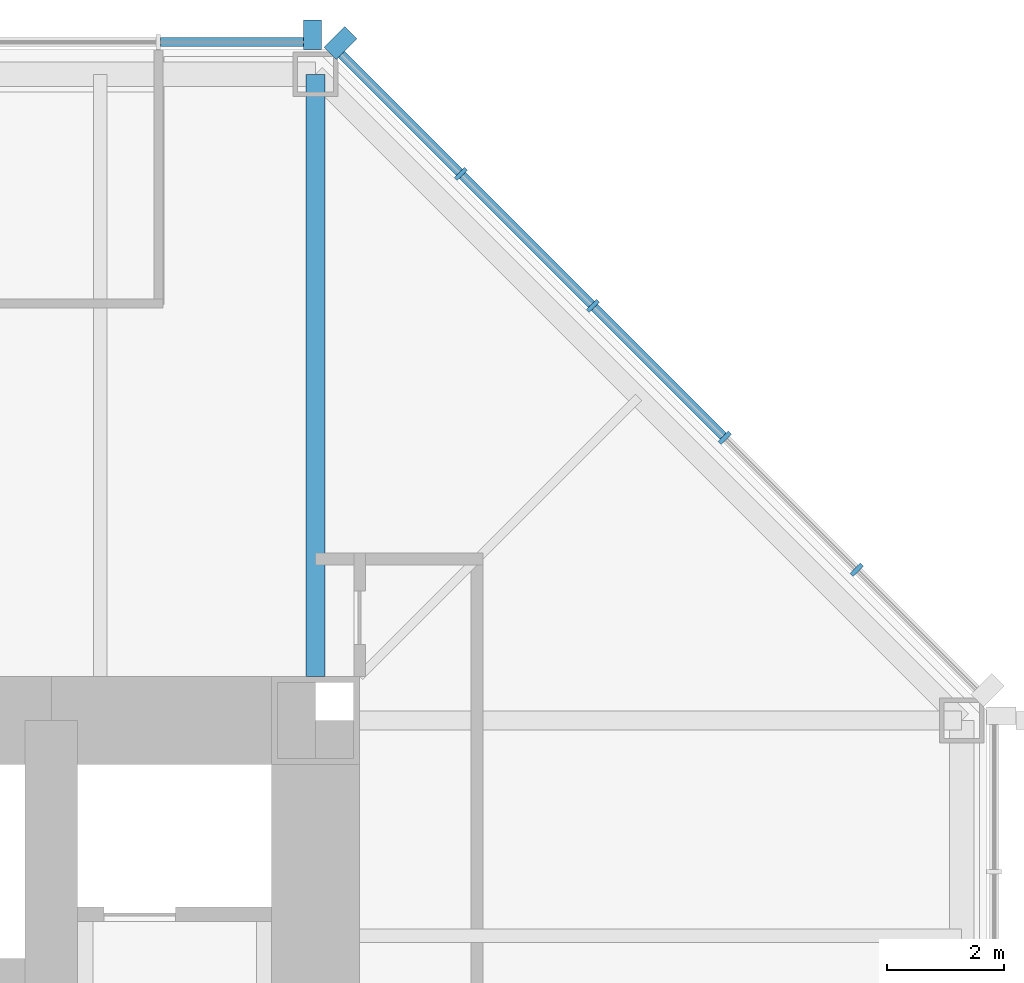
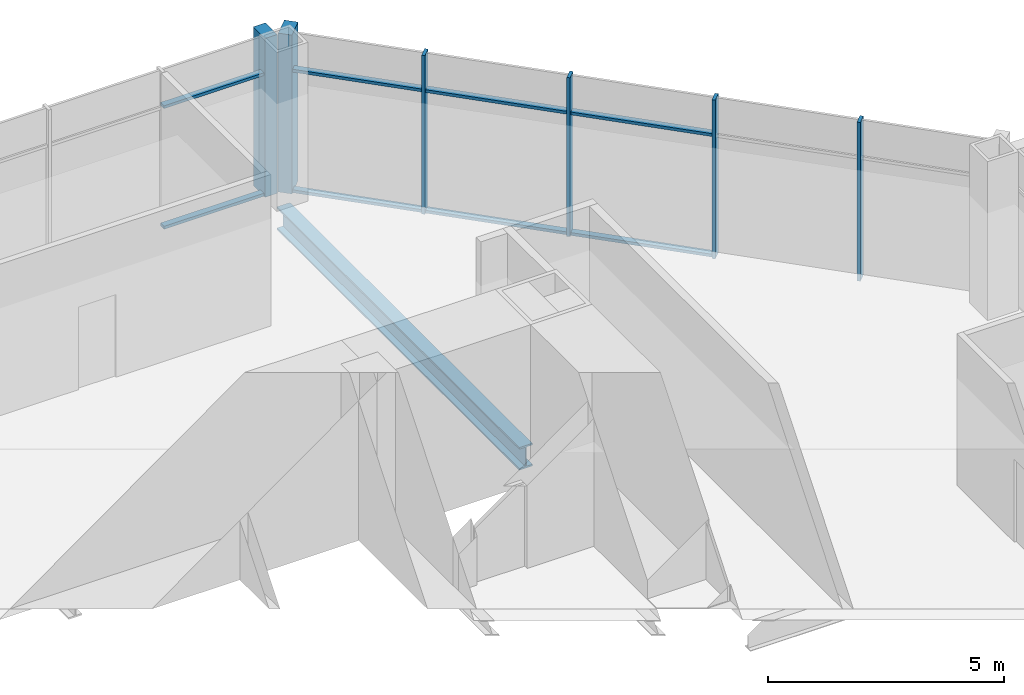
# One storey, part 6 of 12: 14 members, 1 beam, 2 elements without a shape of their own.
"""IFC4 building model written with IfcOpenShell, lengths in metres."""

from ifc_helpers import new_model, si_unit, direction, frame, origin, origin_2d, place, context, subcontext, project, spatial, rectangle, i_section, extrude, material, material_profile, profile_set, type_object, element, aggregate, save


model = new_model("IFC4")

# Units and contexts
model_context = context("Model", 3, precision=1e-05, world=origin(), true_north=direction((0.0, 1.0)))
body_context = subcontext(model_context, "Body", "Model", "MODEL_VIEW")
ifc_project = project(units=[si_unit("LENGTHUNIT", "METRE"), si_unit("AREAUNIT", "SQUARE_METRE"), si_unit("VOLUMEUNIT", "CUBIC_METRE"), si_unit("PLANEANGLEUNIT", "RADIAN"), si_unit("MASSUNIT", "GRAM", prefix="KILO")], contexts=[model_context])

# Site, building, storey
site_placement = place(None, origin())
site = spatial("IfcSite", under=ifc_project, at=site_placement, CompositionType="ELEMENT")
building_placement = place(site_placement, origin())
building = spatial("IfcBuilding", under=site, at=building_placement, Name="Trevanion Tower", CompositionType="ELEMENT")
storey_placement = place(building_placement, frame((0.0, 0.0, 145.89990234375)))
storey = spatial("IfcBuildingStorey", under=building, at=storey_placement, Name="L34", CompositionType="ELEMENT", Elevation=145.89990234375)

# Curtain wall, members
ifc_material_1 = material(Name="Aluminium and glass", Category="aluminium")
curtain_wall_type = type_object("IfcCurtainWallType", Name="CW2 curtain wall", PredefinedType="USERDEFINED", material=ifc_material_1)
curtain_wall_1_placement = place(storey_placement, origin())
curtain_wall_1 = element("IfcCurtainWall", 1, at=curtain_wall_1_placement, inside=storey, type_object=curtain_wall_type, Name="CW2 L34 1", ObjectType="UNITISED CURTAIN WALL", PredefinedType="USERDEFINED")
ifc_material_2 = material(Name="Aluminium extrusion, anodised bronze", Category="aluminium")
ifc_material_profile_1 = material_profile(ifc_material_2, rectangle(XDim=0.074951171875, YDim=0.25, at=origin_2d()), Name="CW2 mullion")
ifc_profile_set_1 = profile_set([ifc_material_profile_1], Name="Aluminium extrusion, anodised bronze")
member_type_1 = type_object("IfcMemberType", Name="CW2 mullion", PredefinedType="MULLION", material=ifc_profile_set_1)
member_1_placement = place(storey_placement, frame((20.2119140625, 13.56591796875, -0.18994140625), z_axis=(0.0, 0.0, 1.0), x_axis=(-0.707106781187, 0.707106781187, 0.0)))
member_1 = element("IfcMember", 2, at=member_1_placement, type_object=member_type_1, Name="CW2 mullion 2", PredefinedType="MULLION", context=body_context, shape_type="SweptSolid", body=[
    extrude(rectangle(XDim=0.074951171875, YDim=0.25, at=origin_2d()), origin(), (0.0, 0.0, 1.0), 4.10009765625),
])
member_2_placement = place(storey_placement, frame((17.966064453125, 15.811767578125, -0.18994140625), z_axis=(0.0, 0.0, 1.0), x_axis=(-0.707106781187, 0.707106781187, 0.0)))
member_2 = element("IfcMember", 3, at=member_2_placement, type_object=member_type_1, Name="CW2 mullion 3", PredefinedType="MULLION", context=body_context, shape_type="SweptSolid", body=[
    extrude(rectangle(XDim=0.074951171875, YDim=0.25, at=origin_2d()), origin(), (0.0, 0.0, 1.0), 4.10009765625),
])
member_3_placement = place(storey_placement, frame((15.719970703125, 18.057861328125, -0.18994140625), z_axis=(0.0, 0.0, 1.0), x_axis=(-0.707106781187, 0.707106781187, 0.0)))
member_3 = element("IfcMember", 4, at=member_3_placement, type_object=member_type_1, Name="CW2 mullion 4", PredefinedType="MULLION", context=body_context, shape_type="SweptSolid", body=[
    extrude(rectangle(XDim=0.074951171875, YDim=0.25, at=origin_2d()), origin(), (0.0, 0.0, 1.0), 4.10009765625),
])
member_4_placement = place(storey_placement, frame((13.473876953125, 20.303955078125, -0.18994140625), z_axis=(0.0, 0.0, 1.0), x_axis=(-0.707106781187, 0.707106781187, 0.0)))
member_4 = element("IfcMember", 5, at=member_4_placement, type_object=member_type_1, Name="CW2 mullion 5", PredefinedType="MULLION", context=body_context, shape_type="SweptSolid", body=[
    extrude(rectangle(XDim=0.074951171875, YDim=0.25, at=origin_2d()), origin(), (0.0, 0.0, 1.0), 4.10009765625),
])
ifc_material_3 = material(Name="Aluminium extrusion, anodised bronze", Category="aluminium")
ifc_material_profile_2 = material_profile(ifc_material_3, rectangle(XDim=0.300048828125, YDim=0.5, at=origin_2d()), Name="CW2 pier mullion")
ifc_profile_set_2 = profile_set([ifc_material_profile_2], Name="Aluminium extrusion, anodised bronze")
member_type_2 = type_object("IfcMemberType", Name="CW2 pier mullion", PredefinedType="MULLION", material=ifc_profile_set_2)
member_5_placement = place(storey_placement, frame((11.42236328125, 22.5322265625, -0.18994140625), z_axis=(0.0, 0.0, 1.0), x_axis=(-0.707106781187, 0.707106781187, 0.0)))
member_5 = element("IfcMember", 6, at=member_5_placement, type_object=member_type_2, Name="CW2 pier mullion 6", PredefinedType="MULLION", context=body_context, shape_type="SweptSolid", body=[
    extrude(rectangle(XDim=0.300048828125, YDim=0.5, at=origin_2d()), origin(), (0.0, 0.0, 1.0), 4.10009765625),
])

# Curtain wall, member
curtain_wall_2_placement = place(storey_placement, origin())
curtain_wall_2 = element("IfcCurtainWall", 7, at=curtain_wall_2_placement, inside=storey, type_object=curtain_wall_type, Name="CW2 L34 2", ObjectType="UNITISED CURTAIN WALL", PredefinedType="USERDEFINED")
member_6_placement = place(storey_placement, frame((10.94775390625, 22.675048828125, -0.18994140625), z_axis=(0.0, 0.0, 1.0), x_axis=(-1.0, 0.0, 0.0)))
member_6 = element("IfcMember", 8, at=member_6_placement, type_object=member_type_2, Name="CW2 pier mullion 1", PredefinedType="MULLION", context=body_context, shape_type="SweptSolid", body=[
    extrude(rectangle(XDim=0.300048828125, YDim=0.5, at=origin_2d()), origin(), (0.0, 0.0, 1.0), 4.10009765625),
])

# Member
ifc_material_4 = material(Name="Aluminium extrusion, anodised bronze", Category="aluminium")
ifc_material_profile_3 = material_profile(ifc_material_4, rectangle(XDim=0.14990234375, YDim=0.074951171875, at=origin_2d()), Name="CW2 transom")
ifc_profile_set_3 = profile_set([ifc_material_profile_3], Name="Aluminium extrusion, anodised bronze")
member_type_3 = type_object("IfcMemberType", Name="CW2 transom", PredefinedType="USERDEFINED", material=ifc_profile_set_3)
member_7_placement = place(storey_placement, frame((17.939453125, 15.83837890625, -0.15234375), z_axis=(-0.707106781187, 0.707106781187, 0.0), x_axis=(-0.707106781187, -0.707106781187, 0.0)))
member_7 = element("IfcMember", 9, at=member_7_placement, type_object=member_type_3, Name="CW2 transom 3.1", ObjectType="TRANSOM", PredefinedType="USERDEFINED", context=body_context, shape_type="SweptSolid", body=[
    extrude(rectangle(XDim=0.14990234375, YDim=0.074951171875, at=origin_2d()), origin(), (0.0, 0.0, 1.0), 3.1015625),
])

member_8_placement = place(storey_placement, frame((17.939453125, 15.83837890625, 2.960205078125), z_axis=(-0.707106781187, 0.707106781187, 0.0), x_axis=(-0.707106781187, -0.707106781187, 0.0)))
member_8 = element("IfcMember", 10, at=member_8_placement, type_object=member_type_3, Name="CW2 transom 3.2", ObjectType="TRANSOM", PredefinedType="USERDEFINED", context=body_context, shape_type="SweptSolid", body=[
    extrude(rectangle(XDim=0.14990234375, YDim=0.074951171875, at=origin_2d()), origin(), (0.0, 0.0, 1.0), 3.1015625),
])

member_9_placement = place(storey_placement, frame((15.693359375, 18.08447265625, -0.15234375), z_axis=(-0.707106781187, 0.707106781187, 0.0), x_axis=(-0.707106781187, -0.707106781187, 0.0)))
member_9 = element("IfcMember", 11, at=member_9_placement, type_object=member_type_3, Name="CW2 transom 4.1", ObjectType="TRANSOM", PredefinedType="USERDEFINED", context=body_context, shape_type="SweptSolid", body=[
    extrude(rectangle(XDim=0.14990234375, YDim=0.074951171875, at=origin_2d()), origin(), (0.0, 0.0, 1.0), 3.10107421875),
])

member_10_placement = place(storey_placement, frame((15.693359375, 18.08447265625, 2.960205078125), z_axis=(-0.707106781187, 0.707106781187, 0.0), x_axis=(-0.707106781187, -0.707106781187, 0.0)))
member_10 = element("IfcMember", 12, at=member_10_placement, type_object=member_type_3, Name="CW2 transom 4.2", ObjectType="TRANSOM", PredefinedType="USERDEFINED", context=body_context, shape_type="SweptSolid", body=[
    extrude(rectangle(XDim=0.14990234375, YDim=0.074951171875, at=origin_2d()), origin(), (0.0, 0.0, 1.0), 3.10107421875),
])

member_11_placement = place(storey_placement, frame((13.447509765625, 20.33056640625, -0.15234375), z_axis=(-0.707149778163, 0.707063781595, 0.0), x_axis=(-0.707063781595, -0.707149778163, 0.0)))
member_11 = element("IfcMember", 13, at=member_11_placement, type_object=member_type_3, Name="CW2 transom 5.1", ObjectType="TRANSOM", PredefinedType="USERDEFINED", context=body_context, shape_type="SweptSolid", body=[
    extrude(rectangle(XDim=0.14990234375, YDim=0.074951171875, at=origin_2d()), origin(), (0.0, 0.0, 1.0), 2.8388671875),
])

member_12_placement = place(storey_placement, frame((13.447509765625, 20.33056640625, 2.960205078125), z_axis=(-0.707149778163, 0.707063781595, 0.0), x_axis=(-0.707063781595, -0.707149778163, 0.0)))
member_12 = element("IfcMember", 14, at=member_12_placement, type_object=member_type_3, Name="CW2 transom 5.2", ObjectType="TRANSOM", PredefinedType="USERDEFINED", context=body_context, shape_type="SweptSolid", body=[
    extrude(rectangle(XDim=0.14990234375, YDim=0.074951171875, at=origin_2d()), origin(), (0.0, 0.0, 1.0), 2.8388671875),
])

aggregate(curtain_wall_1, [member_1, member_2, member_3, member_4, member_5, member_7, member_8, member_9, member_10, member_11, member_12])

member_13_placement = place(storey_placement, frame((10.7978515625, 22.550048828125, -0.15234375), z_axis=(-1.0, 0.0, 0.0), x_axis=(0.0, -1.0, 0.0)))
member_13 = element("IfcMember", 15, at=member_13_placement, type_object=member_type_3, Name="CW2 transom 1.1", ObjectType="TRANSOM", PredefinedType="USERDEFINED", context=body_context, shape_type="SweptSolid", body=[
    extrude(rectangle(XDim=0.14990234375, YDim=0.074951171875, at=origin_2d()), origin(), (0.0, 0.0, 1.0), 2.43701171875),
])

member_14_placement = place(storey_placement, frame((10.7978515625, 22.550048828125, 2.960205078125), z_axis=(-1.0, 0.0, 0.0), x_axis=(0.0, -1.0, 0.0)))
member_14 = element("IfcMember", 16, at=member_14_placement, type_object=member_type_3, Name="CW2 transom 1.2", ObjectType="TRANSOM", PredefinedType="USERDEFINED", context=body_context, shape_type="SweptSolid", body=[
    extrude(rectangle(XDim=0.14990234375, YDim=0.074951171875, at=origin_2d()), origin(), (0.0, 0.0, 1.0), 2.43701171875),
])

aggregate(curtain_wall_2, [member_6, member_13, member_14])

# Beam
ifc_material_5 = material(Name="Steel ASTM A992 Grade 50", Category="steel")
ifc_material_profile_4 = material_profile(ifc_material_5, i_section(OverallWidth=0.320068359375, OverallDepth=0.584228515625, WebThickness=0.023193359375, FlangeThickness=0.04150390625, at=origin_2d()), Name="W21X201")
ifc_profile_set_4 = profile_set([ifc_material_profile_4], Name="Steel ASTM A992 Grade 50")
beam_type = type_object("IfcBeamType", Name="G4 W21X201", PredefinedType="BEAM", material=ifc_profile_set_4)
beam_placement = place(storey_placement, frame((11.0, 11.75, -0.48193359375), z_axis=(0.0, 1.0, 0.0), x_axis=(-1.0, 0.0, 0.0)))
element("IfcBeam", 17, at=beam_placement, inside=storey, type_object=beam_type, Name="G4 L34", PredefinedType="BEAM", context=body_context, shape_type="SweptSolid", body=[
    extrude(i_section(OverallWidth=0.320068359375, OverallDepth=0.584228515625, WebThickness=0.023193359375, FlangeThickness=0.04150390625, at=origin_2d()), origin(), (0.0, 0.0, 1.0), 10.25),
])

save(model, "model.ifc")
